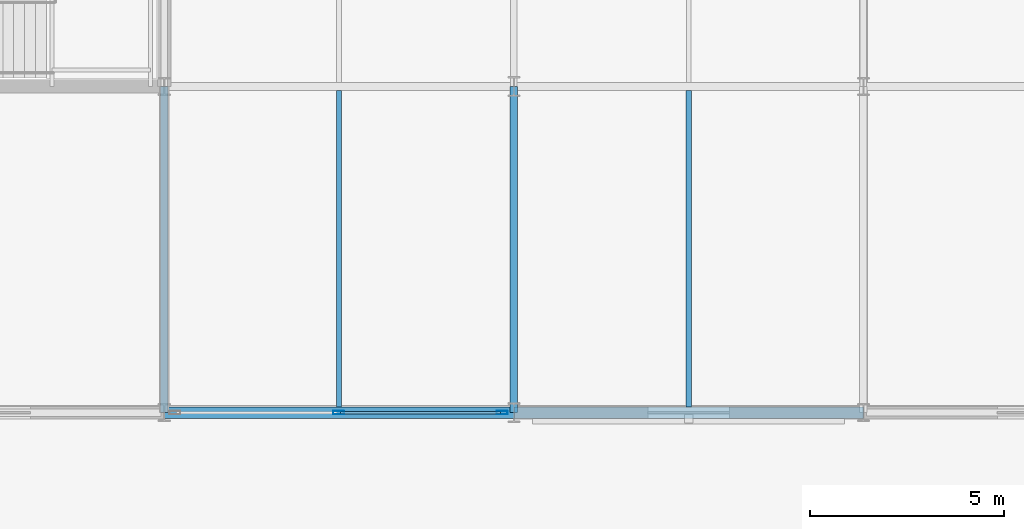
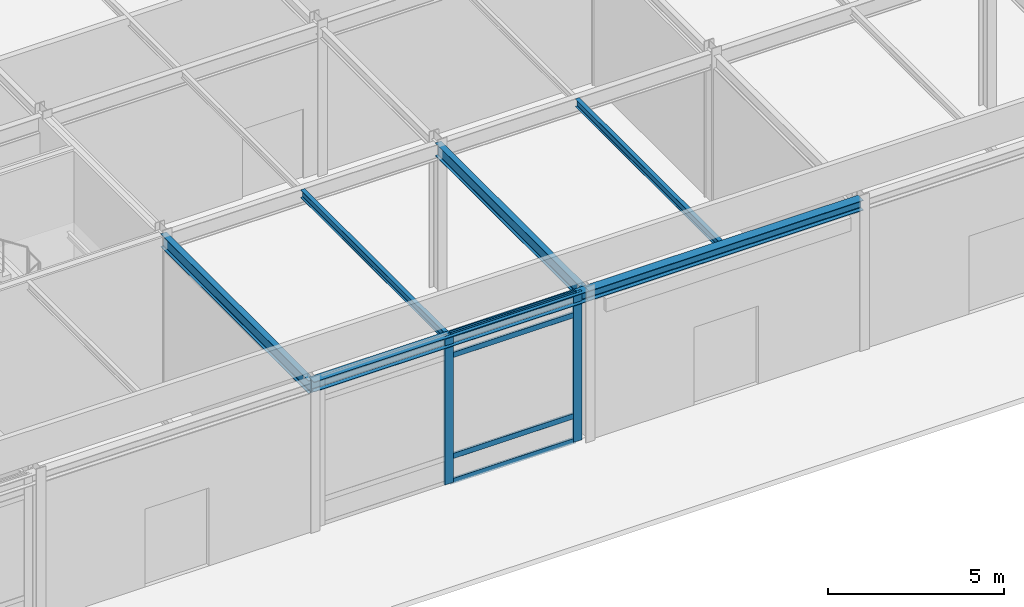
# One storey, part 44 of 89: 6 beams, 6 members, 1 element without a shape of its own.
"""IFC4 building model written with IfcOpenShell, lengths in metres."""

from ifc_helpers import new_model, si_unit, direction, frame, origin, origin_2d, place, context, subcontext, project, spatial, hollow_rectangle, i_section, extrude, material, layer, layer_set, material_profile, profile_set, type_object, element, aggregate, save


model = new_model("IFC4")

# Units and contexts
model_context = context("Model", 3, precision=1e-05, world=origin(), true_north=direction((0.0, 1.0)))
body_context = subcontext(model_context, "Body", "Model", "MODEL_VIEW")
ifc_project = project(units=[si_unit("LENGTHUNIT", "METRE"), si_unit("AREAUNIT", "SQUARE_METRE"), si_unit("VOLUMEUNIT", "CUBIC_METRE"), si_unit("PLANEANGLEUNIT", "RADIAN"), si_unit("MASSUNIT", "GRAM", prefix="KILO")], contexts=[model_context])

# Site, building, storey
site_placement = place(None, origin())
site = spatial("IfcSite", under=ifc_project, at=site_placement, CompositionType="ELEMENT")
building_placement = place(site_placement, origin())
building = spatial("IfcBuilding", under=site, at=building_placement, Name="Shalkamar Park Central Library", CompositionType="ELEMENT")
storey_placement = place(building_placement, origin())
storey = spatial("IfcBuildingStorey", under=building, at=storey_placement, Name="L01", CompositionType="ELEMENT", Elevation=0.0)

# Beams
ifc_material_1 = material(Name="Steel S355", Category="steel")
ifc_material_profile_1 = material_profile(ifc_material_1, i_section(OverallWidth=0.135009765625, OverallDepth=0.27001953125, WebThickness=0.006591796875, FlangeThickness=0.01025390625, FilletRadius=0.014892578125, at=origin_2d()), Name="IPE 270")
ifc_profile_set_1 = profile_set([ifc_material_profile_1], Name="Steel S355")
beam_type_1 = type_object("IfcBeamType", Name="Composite Floor Joist IPE270", PredefinedType="JOIST", material=ifc_profile_set_1)
for number, where, z_axis, x_axis, name in (
    (1, (259.5, 240.14794921875, 5.0048828125), (0.0, 1.0, 0.0), (-1.0, 0.0, 0.0), "Composite Joist 18/A-1 (L01)"),
    (2, (268.5, 240.14794921875, 5.0048828125), (0.0, 1.0, 0.0), (-1.0, 0.0, 0.0), "Composite Joist 19/A-1 (L01)"),
):
    element("IfcBeam", number, at=place(storey_placement, frame(where, z_axis=z_axis, x_axis=x_axis)), inside=storey, type_object=beam_type_1, Name=name, PredefinedType="JOIST", context=body_context, shape_type="SweptSolid", body=[
        extrude(i_section(OverallWidth=0.135009765625, OverallDepth=0.27001953125, WebThickness=0.006591796875, FlangeThickness=0.01025390625, FilletRadius=0.014892578125, at=origin_2d()), origin(), (0.0, 0.0, 1.0), 8.149169921875),
    ])

# Curtain wall, members
ifc_material_2 = material(Name="Thermally broken aluminium and triple low-e curtain wall", Category="aluminium")
ifc_layer = layer(ifc_material_2, 0.280029296875)
ifc_layer_set = layer_set([ifc_layer], Name="UnitisedCurtainWall_03")
curtain_wall_type = type_object("IfcCurtainWallType", Name="Unitised Curtain Wall 03", PredefinedType="USERDEFINED", material=ifc_layer_set)
curtain_wall_placement = place(storey_placement, origin())
curtain_wall = element("IfcCurtainWall", 3, at=curtain_wall_placement, inside=storey, type_object=curtain_wall_type, Name="Unitised Curtain Wall CW-L01-003", ObjectType="UNITISED CURTAIN WALL", PredefinedType="USERDEFINED")
ifc_material_3 = material(Name="Aluminium 6060-T66", Category="aluminium")
ifc_material_profile_2 = material_profile(ifc_material_3, hollow_rectangle(XDim=0.090087890625, YDim=0.280029296875, WallThickness=0.0048828125, InnerFilletRadius=0.0048828125, OuterFilletRadius=0.007568359375, at=origin_2d()), Name="ALU 90x280x5")
ifc_profile_set_2 = profile_set([ifc_material_profile_2], Name="Aluminium 6060-T66")
member_type_1 = type_object("IfcMemberType", Name="Curtain Wall Mullion ALU90x280", PredefinedType="MULLION", material=ifc_profile_set_2)
member_1_placement = place(storey_placement, frame((259.487548828125, 240.0, 0.0), z_axis=(0.0, 0.0, 1.0), x_axis=(0.0, 1.0, 0.0)))
member_1 = element("IfcMember", 4, at=member_1_placement, type_object=member_type_1, Name="CW-03 mullion 2", PredefinedType="MULLION", context=body_context, shape_type="SweptSolid", body=[
    extrude(hollow_rectangle(XDim=0.090087890625, YDim=0.280029296875, WallThickness=0.0048828125, InnerFilletRadius=0.0048828125, OuterFilletRadius=0.007568359375, at=origin_2d()), origin(), (0.0, 0.0, 1.0), 5.14990234375),
])
member_2_placement = place(storey_placement, frame((263.700927734375, 240.0, 0.0), z_axis=(0.0, 0.0, 1.0), x_axis=(0.0, 1.0, 0.0)))
member_2 = element("IfcMember", 5, at=member_2_placement, type_object=member_type_1, Name="CW-03 mullion 3", PredefinedType="MULLION", context=body_context, shape_type="SweptSolid", body=[
    extrude(hollow_rectangle(XDim=0.090087890625, YDim=0.280029296875, WallThickness=0.0048828125, InnerFilletRadius=0.0048828125, OuterFilletRadius=0.007568359375, at=origin_2d()), origin(), (0.0, 0.0, 1.0), 5.14990234375),
])
ifc_material_profile_3 = material_profile(ifc_material_3, hollow_rectangle(XDim=0.070068359375, YDim=0.18994140625, WallThickness=0.0048828125, InnerFilletRadius=0.0048828125, OuterFilletRadius=0.007568359375, at=origin_2d()), Name="ALU 70x190x5")
ifc_profile_set_3 = profile_set([ifc_material_profile_3], Name="Aluminium 6060-T66")
member_type_2 = type_object("IfcMemberType", Name="Curtain Wall Transom ALU70x190", PredefinedType="USERDEFINED", material=ifc_profile_set_3)
member_3_placement = place(storey_placement, frame((259.532470703125, 240.0, 0.034912109375), z_axis=(1.0, 0.0, 0.0), x_axis=(0.0, 1.0, 0.0)))
member_3 = element("IfcMember", 6, at=member_3_placement, type_object=member_type_2, Name="CW-03 transom 2.1", ObjectType="TRANSOM", PredefinedType="USERDEFINED", context=body_context, shape_type="SweptSolid", body=[
    extrude(hollow_rectangle(XDim=0.070068359375, YDim=0.18994140625, WallThickness=0.0048828125, InnerFilletRadius=0.0048828125, OuterFilletRadius=0.007568359375, at=origin_2d()), origin(), (0.0, 0.0, 1.0), 4.12353515625),
])
member_4_placement = place(storey_placement, frame((259.532470703125, 240.0, 0.89990234375), z_axis=(1.0, 0.0, 0.0), x_axis=(0.0, 1.0, 0.0)))
member_4 = element("IfcMember", 7, at=member_4_placement, type_object=member_type_2, Name="CW-03 transom 2.2", ObjectType="TRANSOM", PredefinedType="USERDEFINED", context=body_context, shape_type="SweptSolid", body=[
    extrude(hollow_rectangle(XDim=0.070068359375, YDim=0.18994140625, WallThickness=0.0048828125, InnerFilletRadius=0.0048828125, OuterFilletRadius=0.007568359375, at=origin_2d()), origin(), (0.0, 0.0, 1.0), 4.12353515625),
])
member_5_placement = place(storey_placement, frame((259.532470703125, 240.0, 4.39990234375), z_axis=(1.0, 0.0, 0.0), x_axis=(0.0, 1.0, 0.0)))
member_5 = element("IfcMember", 8, at=member_5_placement, type_object=member_type_2, Name="CW-03 transom 2.3", ObjectType="TRANSOM", PredefinedType="USERDEFINED", context=body_context, shape_type="SweptSolid", body=[
    extrude(hollow_rectangle(XDim=0.070068359375, YDim=0.18994140625, WallThickness=0.0048828125, InnerFilletRadius=0.0048828125, OuterFilletRadius=0.007568359375, at=origin_2d()), origin(), (0.0, 0.0, 1.0), 4.12353515625),
])
member_6_placement = place(storey_placement, frame((259.532470703125, 240.0, 5.114990234375), z_axis=(1.0, 0.0, 0.0), x_axis=(0.0, 1.0, 0.0)))
member_6 = element("IfcMember", 9, at=member_6_placement, type_object=member_type_2, Name="CW-03 transom 2.4", ObjectType="TRANSOM", PredefinedType="USERDEFINED", context=body_context, shape_type="SweptSolid", body=[
    extrude(hollow_rectangle(XDim=0.070068359375, YDim=0.18994140625, WallThickness=0.0048828125, InnerFilletRadius=0.0048828125, OuterFilletRadius=0.007568359375, at=origin_2d()), origin(), (0.0, 0.0, 1.0), 4.12353515625),
])
aggregate(curtain_wall, [member_1, member_2, member_3, member_4, member_5, member_6])

# Beams
ifc_material_profile_4 = material_profile(ifc_material_1, i_section(OverallWidth=0.300048828125, OverallDepth=0.35009765625, WebThickness=0.010009765625, FlangeThickness=0.017578125, FilletRadius=0.027099609375, at=origin_2d()), Name="HEA 360")
ifc_profile_set_4 = profile_set([ifc_material_profile_4], Name="Steel S355")
beam_type_2 = type_object("IfcBeamType", Name="Perimeter Spandrel Beam HEA360", PredefinedType="SPANDREL", material=ifc_profile_set_4)
for number, where, z_axis, x_axis, name in (
    (10, (255.0, 240.0, 4.97509765625), (1.0, 0.0, 0.0), (0.0, 1.0, 0.0), "Beam A:18-19 (L01)"),
    (11, (264.0, 240.0, 4.97509765625), (1.0, 0.0, 0.0), (0.0, 1.0, 0.0), "Beam A:19-20 (L01)"),
):
    element("IfcBeam", number, at=place(storey_placement, frame(where, z_axis=z_axis, x_axis=x_axis)), inside=storey, type_object=beam_type_2, Name=name, PredefinedType="SPANDREL", context=body_context, shape_type="SweptSolid", body=[
        extrude(i_section(OverallWidth=0.300048828125, OverallDepth=0.35009765625, WebThickness=0.010009765625, FlangeThickness=0.017578125, FilletRadius=0.027099609375, at=origin_2d()), origin(), (0.0, 0.0, 1.0), 9.0),
    ])
ifc_material_profile_5 = material_profile(ifc_material_1, i_section(OverallWidth=0.18994140625, OverallDepth=0.449951171875, WebThickness=0.009521484375, FlangeThickness=0.0146484375, FilletRadius=0.02099609375, at=origin_2d()), Name="IPE 450")
ifc_profile_set_5 = profile_set([ifc_material_profile_5], Name="Steel S355")
beam_type_3 = type_object("IfcBeamType", Name="Primary Girder IPE450", PredefinedType="BEAM", material=ifc_profile_set_5)
for number, where, z_axis, x_axis, name in (
    (12, (255.0, 240.0, 4.9150390625), (0.0, 1.0, 0.0), (-1.0, 0.0, 0.0), "Beam 18:A-B (L01)"),
    (13, (264.0, 240.0, 4.9150390625), (0.0, 1.0, 0.0), (-1.0, 0.0, 0.0), "Beam 19:A-B (L01)"),
):
    element("IfcBeam", number, at=place(storey_placement, frame(where, z_axis=z_axis, x_axis=x_axis)), inside=storey, type_object=beam_type_3, Name=name, PredefinedType="BEAM", context=body_context, shape_type="SweptSolid", body=[
        extrude(i_section(OverallWidth=0.18994140625, OverallDepth=0.449951171875, WebThickness=0.009521484375, FlangeThickness=0.0146484375, FilletRadius=0.02099609375, at=origin_2d()), origin(), (0.0, 0.0, 1.0), 8.39990234375),
    ])

save(model, "model.ifc")
